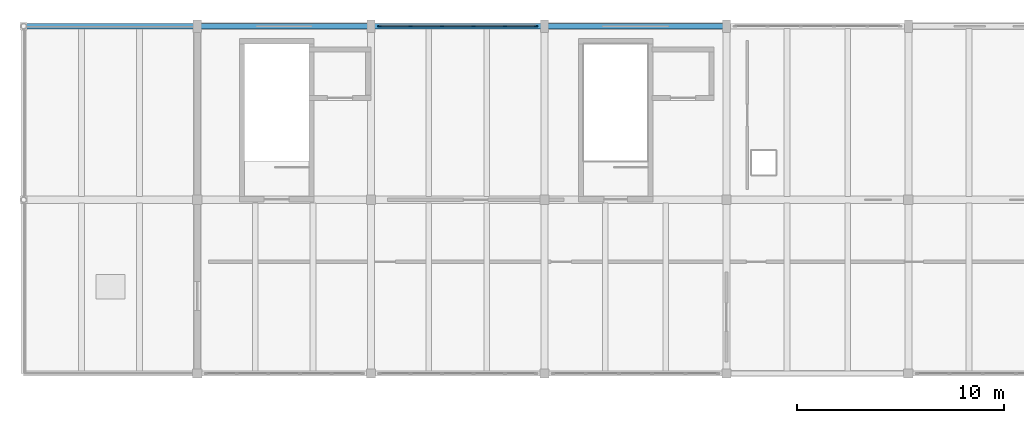
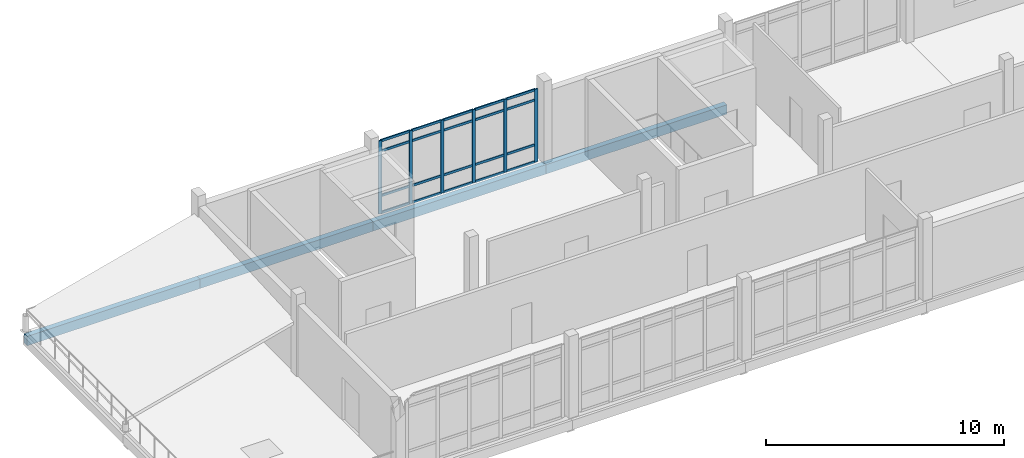
# One storey, part 4 of 13: 26 members, 4 beams, 1 element without a shape of its own.
"""IFC4 building model written with IfcOpenShell, lengths in metres."""

from ifc_helpers import new_model, si_unit, direction, frame, origin, origin_2d, place, context, subcontext, project, spatial, rectangle, extrude, material, material_profile, profile_set, type_object, element, aggregate, save


model = new_model("IFC4")

# Units and contexts
model_context = context("Model", 3, precision=1e-05, world=origin(), true_north=direction((0.0, 1.0)))
body_context = subcontext(model_context, "Body", "Model", "MODEL_VIEW")
ifc_project = project(units=[si_unit("LENGTHUNIT", "METRE"), si_unit("AREAUNIT", "SQUARE_METRE"), si_unit("VOLUMEUNIT", "CUBIC_METRE"), si_unit("PLANEANGLEUNIT", "RADIAN"), si_unit("MASSUNIT", "GRAM", prefix="KILO")], contexts=[model_context])

# Site, building, storey
site_placement = place(None, origin())
site = spatial("IfcSite", under=ifc_project, at=site_placement, CompositionType="ELEMENT")
building_placement = place(site_placement, origin())
building = spatial("IfcBuilding", under=site, at=building_placement, Name="Cinderway Yard Community Centre", CompositionType="ELEMENT")
storey_placement = place(building_placement, frame((0.0, 0.0, 20.10009765625)))
storey = spatial("IfcBuildingStorey", under=building, at=storey_placement, Name="L05", CompositionType="ELEMENT", Elevation=20.10009765625)

# Curtain wall, members
ifc_material_1 = material(Name="Aluminium 6063-T6", Category="aluminium")
curtain_wall_type = type_object("IfcCurtainWallType", Name="ENV-CW-TYPE-26", PredefinedType="USERDEFINED", material=ifc_material_1)
curtain_wall_placement = place(storey_placement, origin())
curtain_wall = element("IfcCurtainWall", 1, at=curtain_wall_placement, inside=storey, type_object=curtain_wall_type, Name="V4 Street Curtain Wall ENV-CW-L05-ST-0189", ObjectType="GLAZED CURTAIN WALL", PredefinedType="USERDEFINED")
ifc_material_profile_1 = material_profile(ifc_material_1, rectangle(XDim=0.06005859375, YDim=0.159912109375, at=origin_2d()), Name="Aluminium 6063-T6")
ifc_profile_set_1 = profile_set([ifc_material_profile_1], Name="Aluminium 6063-T6")
member_type_1 = type_object("IfcMemberType", Name="ENV-CW-MULL-150", PredefinedType="MULLION", material=ifc_profile_set_1)
member_1_placement = place(storey_placement, frame((67.2099609375, 115.199951171875, 0.0), z_axis=(0.0, 0.0, 1.0), x_axis=(0.0, 1.0, 0.0)))
member_1 = element("IfcMember", 2, at=member_1_placement, type_object=member_type_1, Name="CW-26 mullion 1", PredefinedType="MULLION", context=body_context, shape_type="SweptSolid", body=[
    extrude(rectangle(XDim=0.06005859375, YDim=0.159912109375, at=origin_2d()), origin(), (0.0, 0.0, 1.0), 3.75),
])
member_2_placement = place(storey_placement, frame((68.7080078125, 115.199951171875, 0.0), z_axis=(0.0, 0.0, 1.0), x_axis=(0.0, 1.0, 0.0)))
member_2 = element("IfcMember", 3, at=member_2_placement, type_object=member_type_1, Name="CW-26 mullion 2", PredefinedType="MULLION", context=body_context, shape_type="SweptSolid", body=[
    extrude(rectangle(XDim=0.06005859375, YDim=0.159912109375, at=origin_2d()), origin(), (0.0, 0.0, 1.0), 3.75),
])
member_3_placement = place(storey_placement, frame((70.236083984375, 115.199951171875, 0.0), z_axis=(0.0, 0.0, 1.0), x_axis=(0.0, 1.0, 0.0)))
member_3 = element("IfcMember", 4, at=member_3_placement, type_object=member_type_1, Name="CW-26 mullion 3", PredefinedType="MULLION", context=body_context, shape_type="SweptSolid", body=[
    extrude(rectangle(XDim=0.06005859375, YDim=0.159912109375, at=origin_2d()), origin(), (0.0, 0.0, 1.0), 3.75),
])
member_4_placement = place(storey_placement, frame((71.763916015625, 115.199951171875, 0.0), z_axis=(0.0, 0.0, 1.0), x_axis=(0.0, 1.0, 0.0)))
member_4 = element("IfcMember", 5, at=member_4_placement, type_object=member_type_1, Name="CW-26 mullion 4", PredefinedType="MULLION", context=body_context, shape_type="SweptSolid", body=[
    extrude(rectangle(XDim=0.06005859375, YDim=0.159912109375, at=origin_2d()), origin(), (0.0, 0.0, 1.0), 3.75),
])
member_5_placement = place(storey_placement, frame((73.2919921875, 115.199951171875, 0.0), z_axis=(0.0, 0.0, 1.0), x_axis=(0.0, 1.0, 0.0)))
member_5 = element("IfcMember", 6, at=member_5_placement, type_object=member_type_1, Name="CW-26 mullion 5", PredefinedType="MULLION", context=body_context, shape_type="SweptSolid", body=[
    extrude(rectangle(XDim=0.06005859375, YDim=0.159912109375, at=origin_2d()), origin(), (0.0, 0.0, 1.0), 3.75),
])
member_6_placement = place(storey_placement, frame((74.7900390625, 115.199951171875, 0.0), z_axis=(0.0, 0.0, 1.0), x_axis=(0.0, 1.0, 0.0)))
member_6 = element("IfcMember", 7, at=member_6_placement, type_object=member_type_1, Name="CW-26 mullion 6", PredefinedType="MULLION", context=body_context, shape_type="SweptSolid", body=[
    extrude(rectangle(XDim=0.06005859375, YDim=0.159912109375, at=origin_2d()), origin(), (0.0, 0.0, 1.0), 3.75),
])
ifc_material_profile_2 = material_profile(ifc_material_1, rectangle(XDim=0.06005859375, YDim=0.1201171875, at=origin_2d()), Name="Aluminium 6063-T6")
ifc_profile_set_2 = profile_set([ifc_material_profile_2], Name="Aluminium 6063-T6")
member_type_2 = type_object("IfcMemberType", Name="ENV-CW-TRAN-110", PredefinedType="USERDEFINED", material=ifc_profile_set_2)
member_7_placement = place(storey_placement, frame((67.239990234375, 115.199951171875, 0.02978515625), z_axis=(1.0, 0.0, 0.0), x_axis=(0.0, 1.0, 0.0)))
member_7 = element("IfcMember", 8, at=member_7_placement, type_object=member_type_2, Name="CW-26 transom 1.1", ObjectType="TRANSOM", PredefinedType="USERDEFINED", context=body_context, shape_type="SweptSolid", body=[
    extrude(rectangle(XDim=0.06005859375, YDim=0.1201171875, at=origin_2d()), origin(), (0.0, 0.0, 1.0), 1.43798828125),
])
member_8_placement = place(storey_placement, frame((67.239990234375, 115.199951171875, 0.89990234375), z_axis=(1.0, 0.0, 0.0), x_axis=(0.0, 1.0, 0.0)))
member_8 = element("IfcMember", 9, at=member_8_placement, type_object=member_type_2, Name="CW-26 transom 1.2", ObjectType="TRANSOM", PredefinedType="USERDEFINED", context=body_context, shape_type="SweptSolid", body=[
    extrude(rectangle(XDim=0.06005859375, YDim=0.1201171875, at=origin_2d()), origin(), (0.0, 0.0, 1.0), 1.43798828125),
])
member_9_placement = place(storey_placement, frame((67.239990234375, 115.199951171875, 3.199951171875), z_axis=(1.0, 0.0, 0.0), x_axis=(0.0, 1.0, 0.0)))
member_9 = element("IfcMember", 10, at=member_9_placement, type_object=member_type_2, Name="CW-26 transom 1.3", ObjectType="TRANSOM", PredefinedType="USERDEFINED", context=body_context, shape_type="SweptSolid", body=[
    extrude(rectangle(XDim=0.06005859375, YDim=0.1201171875, at=origin_2d()), origin(), (0.0, 0.0, 1.0), 1.43798828125),
])
member_10_placement = place(storey_placement, frame((67.239990234375, 115.199951171875, 3.719970703125), z_axis=(1.0, 0.0, 0.0), x_axis=(0.0, 1.0, 0.0)))
member_10 = element("IfcMember", 11, at=member_10_placement, type_object=member_type_2, Name="CW-26 transom 1.4", ObjectType="TRANSOM", PredefinedType="USERDEFINED", context=body_context, shape_type="SweptSolid", body=[
    extrude(rectangle(XDim=0.06005859375, YDim=0.1201171875, at=origin_2d()), origin(), (0.0, 0.0, 1.0), 1.43798828125),
])
member_11_placement = place(storey_placement, frame((68.738037109375, 115.199951171875, 0.02978515625), z_axis=(1.0, 0.0, 0.0), x_axis=(0.0, 1.0, 0.0)))
member_11 = element("IfcMember", 12, at=member_11_placement, type_object=member_type_2, Name="CW-26 transom 2.1", ObjectType="TRANSOM", PredefinedType="USERDEFINED", context=body_context, shape_type="SweptSolid", body=[
    extrude(rectangle(XDim=0.06005859375, YDim=0.1201171875, at=origin_2d()), origin(), (0.0, 0.0, 1.0), 1.468017578125),
])
member_12_placement = place(storey_placement, frame((68.738037109375, 115.199951171875, 0.89990234375), z_axis=(1.0, 0.0, 0.0), x_axis=(0.0, 1.0, 0.0)))
member_12 = element("IfcMember", 13, at=member_12_placement, type_object=member_type_2, Name="CW-26 transom 2.2", ObjectType="TRANSOM", PredefinedType="USERDEFINED", context=body_context, shape_type="SweptSolid", body=[
    extrude(rectangle(XDim=0.06005859375, YDim=0.1201171875, at=origin_2d()), origin(), (0.0, 0.0, 1.0), 1.468017578125),
])
member_13_placement = place(storey_placement, frame((68.738037109375, 115.199951171875, 3.199951171875), z_axis=(1.0, 0.0, 0.0), x_axis=(0.0, 1.0, 0.0)))
member_13 = element("IfcMember", 14, at=member_13_placement, type_object=member_type_2, Name="CW-26 transom 2.3", ObjectType="TRANSOM", PredefinedType="USERDEFINED", context=body_context, shape_type="SweptSolid", body=[
    extrude(rectangle(XDim=0.06005859375, YDim=0.1201171875, at=origin_2d()), origin(), (0.0, 0.0, 1.0), 1.468017578125),
])
member_14_placement = place(storey_placement, frame((68.738037109375, 115.199951171875, 3.719970703125), z_axis=(1.0, 0.0, 0.0), x_axis=(0.0, 1.0, 0.0)))
member_14 = element("IfcMember", 15, at=member_14_placement, type_object=member_type_2, Name="CW-26 transom 2.4", ObjectType="TRANSOM", PredefinedType="USERDEFINED", context=body_context, shape_type="SweptSolid", body=[
    extrude(rectangle(XDim=0.06005859375, YDim=0.1201171875, at=origin_2d()), origin(), (0.0, 0.0, 1.0), 1.468017578125),
])
member_15_placement = place(storey_placement, frame((70.26611328125, 115.199951171875, 0.02978515625), z_axis=(1.0, 0.0, 0.0), x_axis=(0.0, 1.0, 0.0)))
member_15 = element("IfcMember", 16, at=member_15_placement, type_object=member_type_2, Name="CW-26 transom 3.1", ObjectType="TRANSOM", PredefinedType="USERDEFINED", context=body_context, shape_type="SweptSolid", body=[
    extrude(rectangle(XDim=0.06005859375, YDim=0.1201171875, at=origin_2d()), origin(), (0.0, 0.0, 1.0), 1.4677734375),
])
member_16_placement = place(storey_placement, frame((70.26611328125, 115.199951171875, 0.89990234375), z_axis=(1.0, 0.0, 0.0), x_axis=(0.0, 1.0, 0.0)))
member_16 = element("IfcMember", 17, at=member_16_placement, type_object=member_type_2, Name="CW-26 transom 3.2", ObjectType="TRANSOM", PredefinedType="USERDEFINED", context=body_context, shape_type="SweptSolid", body=[
    extrude(rectangle(XDim=0.06005859375, YDim=0.1201171875, at=origin_2d()), origin(), (0.0, 0.0, 1.0), 1.4677734375),
])
member_17_placement = place(storey_placement, frame((70.26611328125, 115.199951171875, 3.199951171875), z_axis=(1.0, 0.0, 0.0), x_axis=(0.0, 1.0, 0.0)))
member_17 = element("IfcMember", 18, at=member_17_placement, type_object=member_type_2, Name="CW-26 transom 3.3", ObjectType="TRANSOM", PredefinedType="USERDEFINED", context=body_context, shape_type="SweptSolid", body=[
    extrude(rectangle(XDim=0.06005859375, YDim=0.1201171875, at=origin_2d()), origin(), (0.0, 0.0, 1.0), 1.4677734375),
])
member_18_placement = place(storey_placement, frame((70.26611328125, 115.199951171875, 3.719970703125), z_axis=(1.0, 0.0, 0.0), x_axis=(0.0, 1.0, 0.0)))
member_18 = element("IfcMember", 19, at=member_18_placement, type_object=member_type_2, Name="CW-26 transom 3.4", ObjectType="TRANSOM", PredefinedType="USERDEFINED", context=body_context, shape_type="SweptSolid", body=[
    extrude(rectangle(XDim=0.06005859375, YDim=0.1201171875, at=origin_2d()), origin(), (0.0, 0.0, 1.0), 1.4677734375),
])
member_19_placement = place(storey_placement, frame((71.7939453125, 115.199951171875, 0.02978515625), z_axis=(1.0, 0.0, 0.0), x_axis=(0.0, 1.0, 0.0)))
member_19 = element("IfcMember", 20, at=member_19_placement, type_object=member_type_2, Name="CW-26 transom 4.1", ObjectType="TRANSOM", PredefinedType="USERDEFINED", context=body_context, shape_type="SweptSolid", body=[
    extrude(rectangle(XDim=0.06005859375, YDim=0.1201171875, at=origin_2d()), origin(), (0.0, 0.0, 1.0), 1.468017578125),
])
member_20_placement = place(storey_placement, frame((71.7939453125, 115.199951171875, 0.89990234375), z_axis=(1.0, 0.0, 0.0), x_axis=(0.0, 1.0, 0.0)))
member_20 = element("IfcMember", 21, at=member_20_placement, type_object=member_type_2, Name="CW-26 transom 4.2", ObjectType="TRANSOM", PredefinedType="USERDEFINED", context=body_context, shape_type="SweptSolid", body=[
    extrude(rectangle(XDim=0.06005859375, YDim=0.1201171875, at=origin_2d()), origin(), (0.0, 0.0, 1.0), 1.468017578125),
])
member_21_placement = place(storey_placement, frame((71.7939453125, 115.199951171875, 3.199951171875), z_axis=(1.0, 0.0, 0.0), x_axis=(0.0, 1.0, 0.0)))
member_21 = element("IfcMember", 22, at=member_21_placement, type_object=member_type_2, Name="CW-26 transom 4.3", ObjectType="TRANSOM", PredefinedType="USERDEFINED", context=body_context, shape_type="SweptSolid", body=[
    extrude(rectangle(XDim=0.06005859375, YDim=0.1201171875, at=origin_2d()), origin(), (0.0, 0.0, 1.0), 1.468017578125),
])
member_22_placement = place(storey_placement, frame((71.7939453125, 115.199951171875, 3.719970703125), z_axis=(1.0, 0.0, 0.0), x_axis=(0.0, 1.0, 0.0)))
member_22 = element("IfcMember", 23, at=member_22_placement, type_object=member_type_2, Name="CW-26 transom 4.4", ObjectType="TRANSOM", PredefinedType="USERDEFINED", context=body_context, shape_type="SweptSolid", body=[
    extrude(rectangle(XDim=0.06005859375, YDim=0.1201171875, at=origin_2d()), origin(), (0.0, 0.0, 1.0), 1.468017578125),
])
member_23_placement = place(storey_placement, frame((73.322021484375, 115.199951171875, 0.02978515625), z_axis=(1.0, 0.0, 0.0), x_axis=(0.0, 1.0, 0.0)))
member_23 = element("IfcMember", 24, at=member_23_placement, type_object=member_type_2, Name="CW-26 transom 5.1", ObjectType="TRANSOM", PredefinedType="USERDEFINED", context=body_context, shape_type="SweptSolid", body=[
    extrude(rectangle(XDim=0.06005859375, YDim=0.1201171875, at=origin_2d()), origin(), (0.0, 0.0, 1.0), 1.43798828125),
])
member_24_placement = place(storey_placement, frame((73.322021484375, 115.199951171875, 0.89990234375), z_axis=(1.0, 0.0, 0.0), x_axis=(0.0, 1.0, 0.0)))
member_24 = element("IfcMember", 25, at=member_24_placement, type_object=member_type_2, Name="CW-26 transom 5.2", ObjectType="TRANSOM", PredefinedType="USERDEFINED", context=body_context, shape_type="SweptSolid", body=[
    extrude(rectangle(XDim=0.06005859375, YDim=0.1201171875, at=origin_2d()), origin(), (0.0, 0.0, 1.0), 1.43798828125),
])
member_25_placement = place(storey_placement, frame((73.322021484375, 115.199951171875, 3.199951171875), z_axis=(1.0, 0.0, 0.0), x_axis=(0.0, 1.0, 0.0)))
member_25 = element("IfcMember", 26, at=member_25_placement, type_object=member_type_2, Name="CW-26 transom 5.3", ObjectType="TRANSOM", PredefinedType="USERDEFINED", context=body_context, shape_type="SweptSolid", body=[
    extrude(rectangle(XDim=0.06005859375, YDim=0.1201171875, at=origin_2d()), origin(), (0.0, 0.0, 1.0), 1.43798828125),
])
member_26_placement = place(storey_placement, frame((73.322021484375, 115.199951171875, 3.719970703125), z_axis=(1.0, 0.0, 0.0), x_axis=(0.0, 1.0, 0.0)))
member_26 = element("IfcMember", 27, at=member_26_placement, type_object=member_type_2, Name="CW-26 transom 5.4", ObjectType="TRANSOM", PredefinedType="USERDEFINED", context=body_context, shape_type="SweptSolid", body=[
    extrude(rectangle(XDim=0.06005859375, YDim=0.1201171875, at=origin_2d()), origin(), (0.0, 0.0, 1.0), 1.43798828125),
])
aggregate(curtain_wall, [member_1, member_2, member_3, member_4, member_5, member_6, member_7, member_8, member_9, member_10, member_11, member_12, member_13, member_14, member_15, member_16, member_17, member_18, member_19, member_20, member_21, member_22, member_23, member_24, member_25, member_26])

# Beams
ifc_material_2 = material(Name="Concrete C40/50", Category="concrete")
ifc_material_profile_3 = material_profile(ifc_material_2, rectangle(XDim=0.260009765625, YDim=0.47998046875, at=origin_2d()), Name="Concrete C40/50")
ifc_profile_set_3 = profile_set([ifc_material_profile_3], Name="Concrete C40/50")
beam_type = type_object("IfcBeamType", Name="STR-BM-RC260X480", PredefinedType="SPANDREL", material=ifc_profile_set_3)
beam_1_placement = place(storey_placement, frame((50.0, 115.199951171875, -0.460205078125), z_axis=(1.0, 0.0, 0.0), x_axis=(0.0, 1.0, 0.0)))
element("IfcBeam", 28, at=beam_1_placement, inside=storey, type_object=beam_type, Name="Primary girder STR-BM-L05-SP01-0940", PredefinedType="SPANDREL", context=body_context, shape_type="SweptSolid", body=[
    extrude(rectangle(XDim=0.260009765625, YDim=0.47998046875, at=origin_2d()), origin(), (0.0, 0.0, 1.0), 8.39990234375),
])
beam_2_placement = place(storey_placement, frame((58.39990234375, 115.199951171875, -0.460205078125), z_axis=(1.0, 0.0, 0.0), x_axis=(0.0, 1.0, 0.0)))
element("IfcBeam", 29, at=beam_2_placement, inside=storey, type_object=beam_type, Name="Primary girder STR-BM-L05-SP01-0941", PredefinedType="SPANDREL", context=body_context, shape_type="SweptSolid", body=[
    extrude(rectangle(XDim=0.260009765625, YDim=0.47998046875, at=origin_2d()), origin(), (0.0, 0.0, 1.0), 8.400146484375),
])
beam_3_placement = place(storey_placement, frame((66.800048828125, 115.199951171875, -0.460205078125), z_axis=(1.0, 0.0, 0.0), x_axis=(0.0, 1.0, 0.0)))
element("IfcBeam", 30, at=beam_3_placement, inside=storey, type_object=beam_type, Name="Primary girder STR-BM-L05-SP01-0942", PredefinedType="SPANDREL", context=body_context, shape_type="SweptSolid", body=[
    extrude(rectangle(XDim=0.260009765625, YDim=0.47998046875, at=origin_2d()), origin(), (0.0, 0.0, 1.0), 8.39990234375),
])
beam_4_placement = place(storey_placement, frame((75.199951171875, 115.199951171875, -0.460205078125), z_axis=(1.0, 0.0, 0.0), x_axis=(0.0, 1.0, 0.0)))
element("IfcBeam", 31, at=beam_4_placement, inside=storey, type_object=beam_type, Name="Primary girder STR-BM-L05-SP01-0943", PredefinedType="SPANDREL", context=body_context, shape_type="SweptSolid", body=[
    extrude(rectangle(XDim=0.260009765625, YDim=0.47998046875, at=origin_2d()), origin(), (0.0, 0.0, 1.0), 8.800048828125),
])

save(model, "model.ifc")
